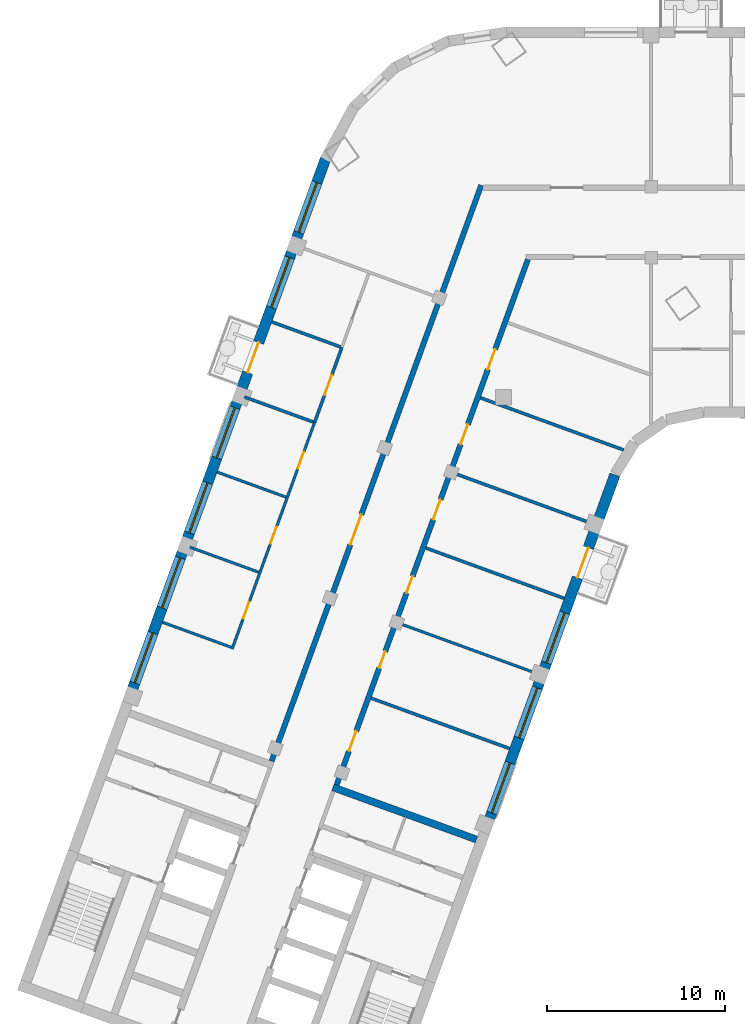
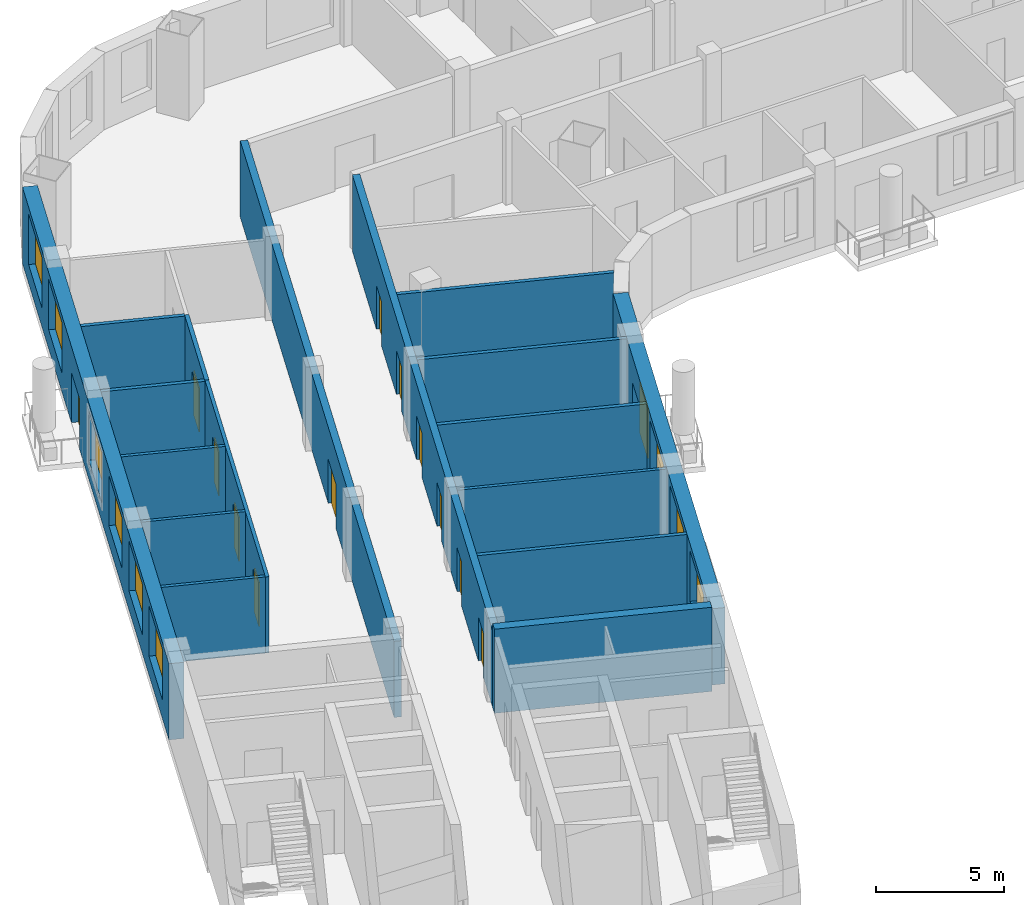
# One storey, part 3 of 16: 17 walls, 13 doors, 9 windows, 22 openings.
"""IFC4 building model written with IfcOpenShell, lengths in metres."""

from ifc_helpers import new_model, si_unit, direction, frame, frame_2d, origin, place, context, subcontext, project, spatial, rectangle, extrude, material, layer, layer_set, type_object, element, fill, save


model = new_model("IFC4")

# Units and contexts
model_context = context("Model", 3, precision=1e-05, world=origin(), true_north=direction((0.0, 1.0)))
body_context = subcontext(model_context, "Body", "Model", "MODEL_VIEW")
ifc_project = project(units=[si_unit("LENGTHUNIT", "METRE"), si_unit("AREAUNIT", "SQUARE_METRE"), si_unit("VOLUMEUNIT", "CUBIC_METRE"), si_unit("PLANEANGLEUNIT", "RADIAN"), si_unit("MASSUNIT", "GRAM", prefix="KILO")], contexts=[model_context])

# Site, building, storey
site_placement = place(None, origin())
site = spatial("IfcSite", under=ifc_project, at=site_placement, CompositionType="ELEMENT")
building_placement = place(site_placement, origin())
building = spatial("IfcBuilding", under=site, at=building_placement, Name="Skarvind Civic Tower", CompositionType="ELEMENT")
storey_placement = place(building_placement, frame((0.0, 0.0, 43.5)))
storey = spatial("IfcBuildingStorey", under=building, at=storey_placement, Name="L09", CompositionType="ELEMENT", Elevation=43.5)

# Wall
ifc_material_1 = material(Name="Acoustic gypsum board on steel studs", Category="steel")
ifc_layer_1 = layer(ifc_material_1, 0.175048828125)
ifc_layer_set_1 = layer_set([ifc_layer_1], Name="ACOUSTIC MEETING-ROOM PARTITION 175")
wall_type_1 = type_object("IfcWallType", Name="ACOUSTIC MEETING-ROOM PARTITION 175", PredefinedType="PARTITIONING", material=ifc_layer_set_1)
wall_1_placement = place(storey_placement, frame((31.35302734375, 118.166015625, 0.0), z_axis=(0.0, 0.0, 1.0), x_axis=(0.939750086456, -0.341862216405, 0.0)))
element("IfcWall", 1, at=wall_1_placement, inside=storey, type_object=wall_type_1, Name="Partition 09.005", PredefinedType="PARTITIONING", context=body_context, shape_type="SweptSolid", body=[
    extrude(rectangle(XDim=4.11279296875, YDim=0.175048828125, at=frame_2d((2.056396484375, 0.0))), origin(), (0.0, 0.0, 1.0), 3.625),
])

# Wall, opening, door
wall_2_placement = place(storey_placement, frame((36.839111328125, 120.958984375, 0.0), z_axis=(0.0, 0.0, 1.0), x_axis=(-0.341986974999, -0.939704692407, 0.0)))
wall_2 = element("IfcWall", 2, at=wall_2_placement, inside=storey, type_object=wall_type_1, Name="Partition 09.008", PredefinedType="PARTITIONING", context=body_context, shape_type="SweptSolid", body=[
    extrude(rectangle(XDim=4.500244140625, YDim=0.175048828125, at=frame_2d((2.25, 0.0))), origin(), (0.0, 0.0, 1.0), 3.625),
])
opening_1_placement = place(wall_2_placement, frame((1.650146484375, 0.0, 0.0)))
opening_1 = element("IfcOpeningElement", 3, at=opening_1_placement, cuts=wall_2, Name="Opening L09-D023", PredefinedType="OPENING", context=body_context, shape_type="SweptSolid", body=[
    extrude(rectangle(XDim=1.199951171875, YDim=2.10009765625, at=frame_2d((0.60009765625, 1.050048828125))), frame((0.0, 0.097412109375, 0.0), z_axis=(0.0, -1.0, 0.0), x_axis=(1.0, 0.0, 0.0)), (0.0, 0.0, 1.0), 0.195068359375),
])
ifc_material_2 = material(Name="Timber door leaf", Category="wood")
door_type_1 = type_object("IfcDoorType", Name="DOOR 1200X2100 DOUBLE TIMBER", OperationType="NOTDEFINED", PredefinedType="DOOR", material=ifc_material_2)
door_1_placement = place(opening_1_placement, origin())
door_1 = element("IfcDoor", 4, at=door_1_placement, inside=storey, type_object=door_type_1, Name="Door L09-D023", OperationType="DOUBLE_DOOR_SINGLE_SWING", OverallHeight=2.10009765625, OverallWidth=1.199951171875, PredefinedType="DOOR", context=body_context, shape_type="SweptSolid", body=[
    extrude(rectangle(XDim=1.199951171875, YDim=2.10009765625, at=frame_2d((0.60009765625, 1.050048828125))), frame((0.0, 0.02490234375, 0.0), z_axis=(0.0, -1.0, 0.0), x_axis=(1.0, 0.0, 0.0)), (0.0, 0.0, 1.0), 0.050048828125),
])
fill(opening_1, door_1)

# Walls
wall_3_placement = place(storey_placement, frame((36.757080078125, 120.989013671875, 0.0), z_axis=(0.0, 0.0, 1.0), x_axis=(-0.939750086456, 0.341862216405, 0.0)))
element("IfcWall", 5, at=wall_3_placement, inside=storey, type_object=wall_type_1, Name="Partition 09.009", PredefinedType="PARTITIONING", context=body_context, shape_type="SweptSolid", body=[
    extrude(rectangle(XDim=4.11279296875, YDim=0.175048828125, at=frame_2d((2.056396484375, 0.0))), origin(), (0.0, 0.0, 1.0), 3.625),
])
wall_4_placement = place(storey_placement, frame((38.48193359375, 101.2060546875, 0.0), z_axis=(0.0, 0.0, 1.0), x_axis=(0.939687752599, -0.342033518263, 0.0)))
element("IfcWall", 6, at=wall_4_placement, inside=storey, type_object=wall_type_1, Name="Partition 09.011", PredefinedType="PARTITIONING", context=body_context, shape_type="SweptSolid", body=[
    extrude(rectangle(XDim=8.30078125, YDim=0.175048828125, at=frame_2d((4.150390625, 0.0))), origin(), (0.0, 0.0, 1.0), 3.625),
])
wall_5_placement = place(storey_placement, frame((41.56103515625, 109.6630859375, 0.0), z_axis=(0.0, 0.0, 1.0), x_axis=(0.939673986983, -0.342071334939, 0.0)))
element("IfcWall", 7, at=wall_5_placement, inside=storey, type_object=wall_type_1, Name="Partition 09.013", PredefinedType="PARTITIONING", context=body_context, shape_type="SweptSolid", body=[
    extrude(rectangle(XDim=8.2998046875, YDim=0.175048828125, at=frame_2d((4.14990234375, 0.0))), origin(), (0.0, 0.0, 1.0), 3.625),
])
wall_6_placement = place(storey_placement, frame((43.10009765625, 113.89111328125, 0.0), z_axis=(0.0, 0.0, 1.0), x_axis=(0.939670544866, -0.342080790328, 0.0)))
element("IfcWall", 8, at=wall_6_placement, inside=storey, type_object=wall_type_1, Name="Partition 09.014", PredefinedType="PARTITIONING", context=body_context, shape_type="SweptSolid", body=[
    extrude(rectangle(XDim=8.299560546875, YDim=0.175048828125, at=frame_2d((4.14990234375, 0.0))), origin(), (0.0, 0.0, 1.0), 3.625),
])
wall_7_placement = place(storey_placement, frame((44.638916015625, 118.1201171875, 0.0), z_axis=(0.0, 0.0, 1.0), x_axis=(0.939669707102, -0.342083091593, 0.0)))
element("IfcWall", 9, at=wall_7_placement, inside=storey, type_object=wall_type_1, Name="Partition 09.015", PredefinedType="PARTITIONING", context=body_context, shape_type="SweptSolid", body=[
    extrude(rectangle(XDim=8.58935546875, YDim=0.175048828125, at=frame_2d((4.294677734375, 0.0))), origin(), (0.0, 0.0, 1.0), 3.625),
])

# Wall, opening, door
ifc_material_3 = material(Name="Fire-rated gypsum board on steel studs", Category="steel")
ifc_layer_2 = layer(ifc_material_3, 0.300048828125)
ifc_layer_set_2 = layer_set([ifc_layer_2], Name="CORRIDOR WALL 300")
wall_type_2 = type_object("IfcWallType", Name="CORRIDOR WALL 300", PredefinedType="PARTITIONING", material=ifc_layer_set_2)
wall_8_placement = place(storey_placement, frame((32.881103515625, 97.656982421875, 0.0), z_axis=(0.0, 0.0, 1.0), x_axis=(0.342017360004, 0.939693633828, 0.0)))
wall_8 = element("IfcWall", 10, at=wall_8_placement, inside=storey, type_object=wall_type_2, Name="Partition 09.006", PredefinedType="PARTITIONING", context=body_context, shape_type="SweptSolid", body=[
    extrude(rectangle(XDim=34.515625, YDim=0.300048828125, at=frame_2d((17.2578125, 0.0))), origin(), (0.0, 0.0, 1.0), 3.625),
])
opening_2_placement = place(wall_8_placement, frame((12.97509765625, 0.0, 0.0)))
opening_2 = element("IfcOpeningElement", 11, at=opening_2_placement, cuts=wall_8, Name="Opening L09-D025", PredefinedType="OPENING", context=body_context, shape_type="SweptSolid", body=[
    extrude(rectangle(XDim=1.800048828125, YDim=2.10009765625, at=frame_2d((0.89990234375, 1.050048828125))), frame((0.0, 0.159912109375, 0.0), z_axis=(0.0, -1.0, 0.0), x_axis=(1.0, 0.0, 0.0)), (0.0, 0.0, 1.0), 0.320068359375),
])
ifc_material_4 = material(Name="Fire-rated timber door leaf", Category="wood")
door_type_2 = type_object("IfcDoorType", Name="FD4 1800x2100", OperationType="NOTDEFINED", PredefinedType="DOOR", material=ifc_material_4)
door_2_placement = place(opening_2_placement, origin())
door_2 = element("IfcDoor", 12, at=door_2_placement, inside=storey, type_object=door_type_2, Name="Door L09-D025", OperationType="DOUBLE_DOOR_SINGLE_SWING", OverallHeight=2.10009765625, OverallWidth=1.800048828125, PredefinedType="DOOR", context=body_context, shape_type="SweptSolid", body=[
    extrude(rectangle(XDim=1.800048828125, YDim=2.10009765625, at=frame_2d((0.89990234375, 1.050048828125))), frame((0.0, 0.02490234375, 0.0), z_axis=(0.0, -1.0, 0.0), x_axis=(1.0, 0.0, 0.0)), (0.0, 0.0, 1.0), 0.050048828125),
])
fill(opening_2, door_2)

# Wall, openings, doors
wall_9_placement = place(storey_placement, frame((47.31396484375, 125.908935546875, 0.0), z_axis=(0.0, 0.0, 1.0), x_axis=(-0.342010770371, -0.939696032209, 0.0)))
wall_9 = element("IfcWall", 13, at=wall_9_placement, inside=storey, type_object=wall_type_2, Name="Partition 09.017", PredefinedType="PARTITIONING", context=body_context, shape_type="SweptSolid", body=[
    extrude(rectangle(XDim=31.484619140625, YDim=0.300048828125, at=frame_2d((15.7421875, 0.0))), origin(), (0.0, 0.0, 1.0), 3.625),
])
opening_3_placement = place(wall_9_placement, frame((28.25927734375, 0.0, 0.0)))
opening_3 = element("IfcOpeningElement", 14, at=opening_3_placement, cuts=wall_9, Name="Opening L09-D026", PredefinedType="OPENING", context=body_context, shape_type="SweptSolid", body=[
    extrude(rectangle(XDim=1.199951171875, YDim=2.10009765625, at=frame_2d((0.60009765625, 1.050048828125))), frame((0.0, 0.159912109375, 0.0), z_axis=(0.0, -1.0, 0.0), x_axis=(1.0, 0.0, 0.0)), (0.0, 0.0, 1.0), 0.320068359375),
])
opening_4_placement = place(wall_9_placement, frame((23.484375, 0.0, 0.0)))
opening_4 = element("IfcOpeningElement", 15, at=opening_4_placement, cuts=wall_9, Name="Opening L09-D027", PredefinedType="OPENING", context=body_context, shape_type="SweptSolid", body=[
    extrude(rectangle(XDim=1.0, YDim=2.10009765625, at=frame_2d((0.5, 1.050048828125))), frame((0.0, 0.159912109375, 0.0), z_axis=(0.0, -1.0, 0.0), x_axis=(1.0, 0.0, 0.0)), (0.0, 0.0, 1.0), 0.320068359375),
])
opening_5_placement = place(wall_9_placement, frame((18.984375, 0.0, 0.0)))
opening_5 = element("IfcOpeningElement", 16, at=opening_5_placement, cuts=wall_9, Name="Opening L09-D028", PredefinedType="OPENING", context=body_context, shape_type="SweptSolid", body=[
    extrude(rectangle(XDim=1.0, YDim=2.10009765625, at=frame_2d((0.5, 1.050048828125))), frame((0.0, 0.159912109375, 0.0), z_axis=(0.0, -1.0, 0.0), x_axis=(1.0, 0.0, 0.0)), (0.0, 0.0, 1.0), 0.320068359375),
])
opening_6_placement = place(wall_9_placement, frame((14.384521484375, 0.0, 0.0)))
opening_6 = element("IfcOpeningElement", 17, at=opening_6_placement, cuts=wall_9, Name="Opening L09-D029", PredefinedType="OPENING", context=body_context, shape_type="SweptSolid", body=[
    extrude(rectangle(XDim=1.199951171875, YDim=2.10009765625, at=frame_2d((0.60009765625, 1.050048828125))), frame((0.0, 0.159912109375, 0.0), z_axis=(0.0, -1.0, 0.0), x_axis=(1.0, 0.0, 0.0)), (0.0, 0.0, 1.0), 0.320068359375),
])
opening_7_placement = place(wall_9_placement, frame((9.884521484375, 0.0, 0.0)))
opening_7 = element("IfcOpeningElement", 18, at=opening_7_placement, cuts=wall_9, Name="Opening L09-D030", PredefinedType="OPENING", context=body_context, shape_type="SweptSolid", body=[
    extrude(rectangle(XDim=1.199951171875, YDim=2.10009765625, at=frame_2d((0.60009765625, 1.050048828125))), frame((0.0, 0.159912109375, 0.0), z_axis=(0.0, -1.0, 0.0), x_axis=(1.0, 0.0, 0.0)), (0.0, 0.0, 1.0), 0.320068359375),
])
opening_8_placement = place(wall_9_placement, frame((5.38427734375, 0.0, 0.0)))
opening_8 = element("IfcOpeningElement", 19, at=opening_8_placement, cuts=wall_9, Name="Opening L09-D031", PredefinedType="OPENING", context=body_context, shape_type="SweptSolid", body=[
    extrude(rectangle(XDim=1.199951171875, YDim=2.10009765625, at=frame_2d((0.60009765625, 1.050048828125))), frame((0.0, 0.159912109375, 0.0), z_axis=(0.0, -1.0, 0.0), x_axis=(1.0, 0.0, 0.0)), (0.0, 0.0, 1.0), 0.320068359375),
])
door_type_3 = type_object("IfcDoorType", Name="FD1 1000x2100", OperationType="NOTDEFINED", PredefinedType="DOOR", material=ifc_material_4)
door_3_placement = place(opening_4_placement, origin())
door_3 = element("IfcDoor", 20, at=door_3_placement, inside=storey, type_object=door_type_3, Name="Door L09-D027", OperationType="SINGLE_SWING_LEFT", OverallHeight=2.10009765625, OverallWidth=1.0, PredefinedType="DOOR", context=body_context, shape_type="SweptSolid", body=[
    extrude(rectangle(XDim=1.0, YDim=2.10009765625, at=frame_2d((0.5, 1.050048828125))), frame((0.0, 0.02490234375, 0.0), z_axis=(0.0, -1.0, 0.0), x_axis=(1.0, 0.0, 0.0)), (0.0, 0.0, 1.0), 0.050048828125),
])
fill(opening_4, door_3)
door_4_placement = place(opening_5_placement, origin())
door_4 = element("IfcDoor", 21, at=door_4_placement, inside=storey, type_object=door_type_3, Name="Door L09-D028", OperationType="SINGLE_SWING_LEFT", OverallHeight=2.10009765625, OverallWidth=1.0, PredefinedType="DOOR", context=body_context, shape_type="SweptSolid", body=[
    extrude(rectangle(XDim=1.0, YDim=2.10009765625, at=frame_2d((0.5, 1.050048828125))), frame((0.0, 0.02490234375, 0.0), z_axis=(0.0, -1.0, 0.0), x_axis=(1.0, 0.0, 0.0)), (0.0, 0.0, 1.0), 0.050048828125),
])
fill(opening_5, door_4)
door_type_4 = type_object("IfcDoorType", Name="FD6 1200x2100 DOUBLE", OperationType="NOTDEFINED", PredefinedType="DOOR", material=ifc_material_4)
door_5_placement = place(opening_3_placement, origin())
door_5 = element("IfcDoor", 22, at=door_5_placement, inside=storey, type_object=door_type_4, Name="Door L09-D026", OperationType="DOUBLE_DOOR_SINGLE_SWING", OverallHeight=2.10009765625, OverallWidth=1.199951171875, PredefinedType="DOOR", context=body_context, shape_type="SweptSolid", body=[
    extrude(rectangle(XDim=1.199951171875, YDim=2.10009765625, at=frame_2d((0.60009765625, 1.050048828125))), frame((0.0, 0.02490234375, 0.0), z_axis=(0.0, -1.0, 0.0), x_axis=(1.0, 0.0, 0.0)), (0.0, 0.0, 1.0), 0.050048828125),
])
fill(opening_3, door_5)
door_6_placement = place(opening_6_placement, origin())
door_6 = element("IfcDoor", 23, at=door_6_placement, inside=storey, type_object=door_type_4, Name="Door L09-D029", OperationType="DOUBLE_DOOR_SINGLE_SWING", OverallHeight=2.10009765625, OverallWidth=1.199951171875, PredefinedType="DOOR", context=body_context, shape_type="SweptSolid", body=[
    extrude(rectangle(XDim=1.199951171875, YDim=2.10009765625, at=frame_2d((0.60009765625, 1.050048828125))), frame((0.0, 0.02490234375, 0.0), z_axis=(0.0, -1.0, 0.0), x_axis=(1.0, 0.0, 0.0)), (0.0, 0.0, 1.0), 0.050048828125),
])
fill(opening_6, door_6)
door_7_placement = place(opening_7_placement, origin())
door_7 = element("IfcDoor", 24, at=door_7_placement, inside=storey, type_object=door_type_4, Name="Door L09-D030", OperationType="DOUBLE_DOOR_SINGLE_SWING", OverallHeight=2.10009765625, OverallWidth=1.199951171875, PredefinedType="DOOR", context=body_context, shape_type="SweptSolid", body=[
    extrude(rectangle(XDim=1.199951171875, YDim=2.10009765625, at=frame_2d((0.60009765625, 1.050048828125))), frame((0.0, 0.02490234375, 0.0), z_axis=(0.0, -1.0, 0.0), x_axis=(1.0, 0.0, 0.0)), (0.0, 0.0, 1.0), 0.050048828125),
])
fill(opening_7, door_7)
door_8_placement = place(opening_8_placement, origin())
door_8 = element("IfcDoor", 25, at=door_8_placement, inside=storey, type_object=door_type_4, Name="Door L09-D031", OperationType="DOUBLE_DOOR_SINGLE_SWING", OverallHeight=2.10009765625, OverallWidth=1.199951171875, PredefinedType="DOOR", context=body_context, shape_type="SweptSolid", body=[
    extrude(rectangle(XDim=1.199951171875, YDim=2.10009765625, at=frame_2d((0.60009765625, 1.050048828125))), frame((0.0, 0.02490234375, 0.0), z_axis=(0.0, -1.0, 0.0), x_axis=(1.0, 0.0, 0.0)), (0.0, 0.0, 1.0), 0.050048828125),
])
fill(opening_8, door_8)

# Walls
ifc_material_5 = material(Name="Concrete C80", Category="concrete")
ifc_layer_3 = layer(ifc_material_5, 0.39990234375)
ifc_layer_set_3 = layer_set([ifc_layer_3], Name="Core wall 400 C80")
wall_type_3 = type_object("IfcWallType", Name="Core wall 400 C80", PredefinedType="SHEAR", material=ifc_layer_set_3)
wall_10_placement = place(storey_placement, frame((44.417724609375, 93.2451171875, 0.0), z_axis=(0.0, 0.0, 1.0), x_axis=(-0.93969060187, 0.342025690201, 0.0)))
element("IfcWall", 26, at=wall_10_placement, inside=storey, type_object=wall_type_3, Name="Core wall C2 south inner face L09", PredefinedType="SHEAR", context=body_context, shape_type="SweptSolid", body=[
    extrude(rectangle(XDim=8.599853515625, YDim=0.39990234375, at=frame_2d((4.2998046875, 0.0))), origin(), (0.0, 0.0, 1.0), 4.0),
])
ifc_material_6 = material(Name="Plasterboard partition on steel studs", Category="steel")
ifc_layer_4 = layer(ifc_material_6, 0.14990234375)
ifc_layer_set_4 = layer_set([ifc_layer_4], Name="PARTITION 150")
wall_type_4 = type_object("IfcWallType", Name="PARTITION 150", PredefinedType="PARTITIONING", material=ifc_layer_set_4)
wall_11_placement = place(storey_placement, frame((26.736083984375, 105.47998046875, 0.0), z_axis=(0.0, 0.0, 1.0), x_axis=(0.939784783713, -0.341766821533, 0.0)))
element("IfcWall", 27, at=wall_11_placement, inside=storey, type_object=wall_type_4, Name="Partition 09.001", PredefinedType="PARTITIONING", context=body_context, shape_type="SweptSolid", body=[
    extrude(rectangle(XDim=4.125244140625, YDim=0.14990234375, at=frame_2d((2.0625, 0.0))), origin(), (0.0, 0.0, 1.0), 3.625),
])
wall_12_placement = place(storey_placement, frame((28.27490234375, 109.708984375, 0.0), z_axis=(0.0, 0.0, 1.0), x_axis=(0.939791695678, -0.341747814529, 0.0)))
element("IfcWall", 28, at=wall_12_placement, inside=storey, type_object=wall_type_4, Name="Partition 09.002", PredefinedType="PARTITIONING", context=body_context, shape_type="SweptSolid", body=[
    extrude(rectangle(XDim=4.12548828125, YDim=0.14990234375, at=frame_2d((2.062744140625, 0.0))), origin(), (0.0, 0.0, 1.0), 3.625),
])
wall_13_placement = place(storey_placement, frame((29.81396484375, 113.93798828125, 0.0), z_axis=(0.0, 0.0, 1.0), x_axis=(0.93970873465, -0.341975867603, 0.0)))
element("IfcWall", 29, at=wall_13_placement, inside=storey, type_object=wall_type_4, Name="Partition 09.003", PredefinedType="PARTITIONING", context=body_context, shape_type="SweptSolid", body=[
    extrude(rectangle(XDim=4.125732421875, YDim=0.14990234375, at=frame_2d((2.06298828125, 0.0))), origin(), (0.0, 0.0, 1.0), 3.625),
])

# Wall, openings, doors
wall_14_placement = place(storey_placement, frame((35.300048828125, 116.72998046875, 0.0), z_axis=(0.0, 0.0, 1.0), x_axis=(-0.342040522051, -0.939685203286, 0.0)))
wall_14 = element("IfcWall", 30, at=wall_14_placement, inside=storey, type_object=wall_type_4, Name="Partition 09.004", PredefinedType="PARTITIONING", context=body_context, shape_type="SweptSolid", body=[
    extrude(rectangle(XDim=13.57470703125, YDim=0.14990234375, at=frame_2d((6.787353515625, 0.0))), origin(), (0.0, 0.0, 1.0), 3.625),
])
opening_9_placement = place(wall_14_placement, frame((10.75, 0.0, 0.0)))
opening_9 = element("IfcOpeningElement", 31, at=opening_9_placement, cuts=wall_14, Name="Opening L09-D020", PredefinedType="OPENING", context=body_context, shape_type="SweptSolid", body=[
    extrude(rectangle(XDim=1.0, YDim=2.10009765625, at=frame_2d((0.5, 1.050048828125))), frame((0.0, 0.0849609375, 0.0), z_axis=(0.0, -1.0, 0.0), x_axis=(1.0, 0.0, 0.0)), (0.0, 0.0, 1.0), 0.169921875),
])
opening_10_placement = place(wall_14_placement, frame((6.25, 0.0, 0.0)))
opening_10 = element("IfcOpeningElement", 32, at=opening_10_placement, cuts=wall_14, Name="Opening L09-D021", PredefinedType="OPENING", context=body_context, shape_type="SweptSolid", body=[
    extrude(rectangle(XDim=1.0, YDim=2.10009765625, at=frame_2d((0.5, 1.050048828125))), frame((0.0, 0.0849609375, 0.0), z_axis=(0.0, -1.0, 0.0), x_axis=(1.0, 0.0, 0.0)), (0.0, 0.0, 1.0), 0.169921875),
])
opening_11_placement = place(wall_14_placement, frame((1.750244140625, 0.0, 0.0)))
opening_11 = element("IfcOpeningElement", 33, at=opening_11_placement, cuts=wall_14, Name="Opening L09-D022", PredefinedType="OPENING", context=body_context, shape_type="SweptSolid", body=[
    extrude(rectangle(XDim=1.0, YDim=2.10009765625, at=frame_2d((0.5, 1.050048828125))), frame((0.0, 0.0849609375, 0.0), z_axis=(0.0, -1.0, 0.0), x_axis=(1.0, 0.0, 0.0)), (0.0, 0.0, 1.0), 0.169921875),
])
door_type_5 = type_object("IfcDoorType", Name="D1 1000x2100", OperationType="NOTDEFINED", PredefinedType="DOOR", material=ifc_material_2)
door_9_placement = place(opening_9_placement, origin())
door_9 = element("IfcDoor", 34, at=door_9_placement, inside=storey, type_object=door_type_5, Name="Door L09-D020", OperationType="SINGLE_SWING_LEFT", OverallHeight=2.10009765625, OverallWidth=1.0, PredefinedType="DOOR", context=body_context, shape_type="SweptSolid", body=[
    extrude(rectangle(XDim=1.0, YDim=2.10009765625, at=frame_2d((0.5, 1.050048828125))), frame((0.0, 0.02490234375, 0.0), z_axis=(0.0, -1.0, 0.0), x_axis=(1.0, 0.0, 0.0)), (0.0, 0.0, 1.0), 0.050048828125),
])
fill(opening_9, door_9)
door_10_placement = place(opening_10_placement, origin())
door_10 = element("IfcDoor", 35, at=door_10_placement, inside=storey, type_object=door_type_5, Name="Door L09-D021", OperationType="SINGLE_SWING_LEFT", OverallHeight=2.10009765625, OverallWidth=1.0, PredefinedType="DOOR", context=body_context, shape_type="SweptSolid", body=[
    extrude(rectangle(XDim=1.0, YDim=2.10009765625, at=frame_2d((0.5, 1.050048828125))), frame((0.0, 0.02490234375, 0.0), z_axis=(0.0, -1.0, 0.0), x_axis=(1.0, 0.0, 0.0)), (0.0, 0.0, 1.0), 0.050048828125),
])
fill(opening_10, door_10)
door_11_placement = place(opening_11_placement, origin())
door_11 = element("IfcDoor", 36, at=door_11_placement, inside=storey, type_object=door_type_5, Name="Door L09-D022", OperationType="SINGLE_SWING_LEFT", OverallHeight=2.10009765625, OverallWidth=1.0, PredefinedType="DOOR", context=body_context, shape_type="SweptSolid", body=[
    extrude(rectangle(XDim=1.0, YDim=2.10009765625, at=frame_2d((0.5, 1.050048828125))), frame((0.0, 0.02490234375, 0.0), z_axis=(0.0, -1.0, 0.0), x_axis=(1.0, 0.0, 0.0)), (0.0, 0.0, 1.0), 0.050048828125),
])
fill(opening_11, door_11)

# Wall
wall_15_placement = place(storey_placement, frame((40.02099609375, 105.43408203125, 0.0), z_axis=(0.0, 0.0, 1.0), x_axis=(0.939687752599, -0.342033518263, 0.0)))
element("IfcWall", 37, at=wall_15_placement, inside=storey, type_object=wall_type_4, Name="Partition 09.012", PredefinedType="PARTITIONING", context=body_context, shape_type="SweptSolid", body=[
    extrude(rectangle(XDim=8.30078125, YDim=0.14990234375, at=frame_2d((4.150390625, 0.0))), origin(), (0.0, 0.0, 1.0), 3.625),
])

# Wall, openings, door, windows
ifc_material_7 = material(Name="Limestone masonry cladding on insulated backing", Category="masonry")
ifc_layer_5 = layer(ifc_material_7, 0.60009765625)
ifc_layer_set_5 = layer_set([ifc_layer_5], Name="WX1 STONE FACADE WALL 600")
wall_type_5 = type_object("IfcWallType", Name="WX1 STONE FACADE WALL 600", PredefinedType="SOLIDWALL", material=ifc_layer_set_5)
wall_16_placement = place(storey_placement, frame((52.212158203125, 113.78271484375, 0.0), z_axis=(0.0, 0.0, 1.0), x_axis=(-0.34202521188, -0.939690775968, 0.0)))
wall_16 = element("IfcWall", 38, at=wall_16_placement, inside=storey, type_object=wall_type_5, Name="STONE FACADE WALL", PredefinedType="SOLIDWALL", context=body_context, shape_type="SweptSolid", body=[
    extrude(rectangle(XDim=21.744873046875, YDim=0.60009765625, at=frame_2d((10.87255859375, 0.0))), origin(), (0.0, 0.0, 1.0), 3.625),
])
opening_12_placement = place(wall_16_placement, frame((4.364990234375, 0.0, 0.0)))
opening_12 = element("IfcOpeningElement", 39, at=opening_12_placement, cuts=wall_16, Name="Opening DX3", PredefinedType="OPENING", context=body_context, shape_type="SweptSolid", body=[
    extrude(rectangle(XDim=1.800048828125, YDim=2.39990234375, at=frame_2d((0.89990234375, 1.199951171875))), frame((0.0, 0.31005859375, 0.0), z_axis=(0.0, -1.0, 0.0), x_axis=(1.0, 0.0, 0.0)), (0.0, 0.0, 1.0), 0.6201171875),
])
opening_13_placement = place(wall_16_placement, frame((8.264892578125, 0.0, 0.89990234375)))
opening_13 = element("IfcOpeningElement", 40, at=opening_13_placement, cuts=wall_16, Name="Opening WN1", PredefinedType="OPENING", context=body_context, shape_type="SweptSolid", body=[
    extrude(rectangle(XDim=3.0, YDim=2.39990234375, at=frame_2d((1.5, 1.199951171875))), frame((0.0, 0.31005859375, 0.0), z_axis=(0.0, -1.0, 0.0), x_axis=(1.0, 0.0, 0.0)), (0.0, 0.0, 1.0), 0.6201171875),
])
opening_14_placement = place(wall_16_placement, frame((12.764892578125, 0.0, 0.89990234375)))
opening_14 = element("IfcOpeningElement", 41, at=opening_14_placement, cuts=wall_16, Name="Opening WN1", PredefinedType="OPENING", context=body_context, shape_type="SweptSolid", body=[
    extrude(rectangle(XDim=3.0, YDim=2.39990234375, at=frame_2d((1.5, 1.199951171875))), frame((0.0, 0.31005859375, 0.0), z_axis=(0.0, -1.0, 0.0), x_axis=(1.0, 0.0, 0.0)), (0.0, 0.0, 1.0), 0.6201171875),
])
opening_15_placement = place(wall_16_placement, frame((17.264892578125, 0.0, 0.89990234375)))
opening_15 = element("IfcOpeningElement", 42, at=opening_15_placement, cuts=wall_16, Name="Opening WN1", PredefinedType="OPENING", context=body_context, shape_type="SweptSolid", body=[
    extrude(rectangle(XDim=3.0, YDim=2.39990234375, at=frame_2d((1.5, 1.199951171875))), frame((0.0, 0.31005859375, 0.0), z_axis=(0.0, -1.0, 0.0), x_axis=(1.0, 0.0, 0.0)), (0.0, 0.0, 1.0), 0.6201171875),
])
ifc_material_8 = material(Name="Timber and glass doorset", Category="wood")
door_type_6 = type_object("IfcDoorType", Name="DX3 TERRACE DOORS 1800 x 2400", OperationType="NOTDEFINED", PredefinedType="DOOR", material=ifc_material_8)
door_12_placement = place(opening_12_placement, origin())
door_12 = element("IfcDoor", 43, at=door_12_placement, inside=storey, type_object=door_type_6, Name="TERRACE DOORS", OperationType="DOUBLE_DOOR_SINGLE_SWING", OverallHeight=2.39990234375, OverallWidth=1.800048828125, PredefinedType="DOOR", context=body_context, shape_type="SweptSolid", body=[
    extrude(rectangle(XDim=1.800048828125, YDim=2.39990234375, at=frame_2d((0.89990234375, 1.199951171875))), frame((0.0, 0.02490234375, 0.0), z_axis=(0.0, -1.0, 0.0), x_axis=(1.0, 0.0, 0.0)), (0.0, 0.0, 1.0), 0.050048828125),
])
fill(opening_12, door_12)
ifc_material_9 = material(Name="Timber frame, double glazing, timber-lined reveal", Category="wood")
window_type = type_object("IfcWindowType", Name="WN1 PUNCHED STONE WINDOW 3000 x 2400", PartitioningType="SINGLE_PANEL", PredefinedType="WINDOW", material=ifc_material_9)
window_1_placement = place(opening_13_placement, origin())
window_1 = element("IfcWindow", 44, at=window_1_placement, inside=storey, type_object=window_type, Name="WN1 WINDOW", OverallHeight=2.39990234375, OverallWidth=3.0, PartitioningType="SINGLE_PANEL", PredefinedType="WINDOW", context=body_context, shape_type="SweptSolid", body=[
    extrude(rectangle(XDim=3.0, YDim=2.39990234375, at=frame_2d((1.5, 1.199951171875))), frame((0.0, 0.030029296875, 0.0), z_axis=(0.0, -1.0, 0.0), x_axis=(1.0, 0.0, 0.0)), (0.0, 0.0, 1.0), 0.06005859375),
])
fill(opening_13, window_1)
window_2_placement = place(opening_14_placement, origin())
window_2 = element("IfcWindow", 45, at=window_2_placement, inside=storey, type_object=window_type, Name="WN1 WINDOW", OverallHeight=2.39990234375, OverallWidth=3.0, PartitioningType="SINGLE_PANEL", PredefinedType="WINDOW", context=body_context, shape_type="SweptSolid", body=[
    extrude(rectangle(XDim=3.0, YDim=2.39990234375, at=frame_2d((1.5, 1.199951171875))), frame((0.0, 0.030029296875, 0.0), z_axis=(0.0, -1.0, 0.0), x_axis=(1.0, 0.0, 0.0)), (0.0, 0.0, 1.0), 0.06005859375),
])
fill(opening_14, window_2)
window_3_placement = place(opening_15_placement, origin())
window_3 = element("IfcWindow", 46, at=window_3_placement, inside=storey, type_object=window_type, Name="WN1 WINDOW", OverallHeight=2.39990234375, OverallWidth=3.0, PartitioningType="SINGLE_PANEL", PredefinedType="WINDOW", context=body_context, shape_type="SweptSolid", body=[
    extrude(rectangle(XDim=3.0, YDim=2.39990234375, at=frame_2d((1.5, 1.199951171875))), frame((0.0, 0.030029296875, 0.0), z_axis=(0.0, -1.0, 0.0), x_axis=(1.0, 0.0, 0.0)), (0.0, 0.0, 1.0), 0.06005859375),
])
fill(opening_15, window_3)

wall_17_placement = place(storey_placement, frame((24.66552734375, 100.668701171875, 0.0), z_axis=(0.0, 0.0, 1.0), x_axis=(0.34201964167, 0.939692803373, 0.0)))
wall_17 = element("IfcWall", 47, at=wall_17_placement, inside=storey, type_object=wall_type_5, Name="STONE FACADE WALL", PredefinedType="SOLIDWALL", context=body_context, shape_type="SweptSolid", body=[
    extrude(rectangle(XDim=32.88427734375, YDim=0.60009765625, at=frame_2d((16.442138671875, 0.0))), origin(), (0.0, 0.0, 1.0), 3.625),
])
opening_16_placement = place(wall_17_placement, frame((1.47998046875, 0.0, 0.89990234375)))
opening_16 = element("IfcOpeningElement", 48, at=opening_16_placement, cuts=wall_17, Name="Opening WN1", PredefinedType="OPENING", context=body_context, shape_type="SweptSolid", body=[
    extrude(rectangle(XDim=3.0, YDim=2.39990234375, at=frame_2d((1.5, 1.199951171875))), frame((0.0, 0.31005859375, 0.0), z_axis=(0.0, -1.0, 0.0), x_axis=(1.0, 0.0, 0.0)), (0.0, 0.0, 1.0), 0.6201171875),
])
opening_17_placement = place(wall_17_placement, frame((5.97998046875, 0.0, 0.89990234375)))
opening_17 = element("IfcOpeningElement", 49, at=opening_17_placement, cuts=wall_17, Name="Opening WN1", PredefinedType="OPENING", context=body_context, shape_type="SweptSolid", body=[
    extrude(rectangle(XDim=3.0, YDim=2.39990234375, at=frame_2d((1.5, 1.199951171875))), frame((0.0, 0.31005859375, 0.0), z_axis=(0.0, -1.0, 0.0), x_axis=(1.0, 0.0, 0.0)), (0.0, 0.0, 1.0), 0.6201171875),
])
opening_18_placement = place(wall_17_placement, frame((10.47998046875, 0.0, 0.89990234375)))
opening_18 = element("IfcOpeningElement", 50, at=opening_18_placement, cuts=wall_17, Name="Opening WN1", PredefinedType="OPENING", context=body_context, shape_type="SweptSolid", body=[
    extrude(rectangle(XDim=3.0, YDim=2.39990234375, at=frame_2d((1.5, 1.199951171875))), frame((0.0, 0.31005859375, 0.0), z_axis=(0.0, -1.0, 0.0), x_axis=(1.0, 0.0, 0.0)), (0.0, 0.0, 1.0), 0.6201171875),
])
opening_19_placement = place(wall_17_placement, frame((14.97998046875, 0.0, 0.89990234375)))
opening_19 = element("IfcOpeningElement", 51, at=opening_19_placement, cuts=wall_17, Name="Opening WN1", PredefinedType="OPENING", context=body_context, shape_type="SweptSolid", body=[
    extrude(rectangle(XDim=3.0, YDim=2.39990234375, at=frame_2d((1.5, 1.199951171875))), frame((0.0, 0.31005859375, 0.0), z_axis=(0.0, -1.0, 0.0), x_axis=(1.0, 0.0, 0.0)), (0.0, 0.0, 1.0), 0.6201171875),
])
opening_20_placement = place(wall_17_placement, frame((20.080078125, 0.0, 0.0)))
opening_20 = element("IfcOpeningElement", 52, at=opening_20_placement, cuts=wall_17, Name="Opening DX3", PredefinedType="OPENING", context=body_context, shape_type="SweptSolid", body=[
    extrude(rectangle(XDim=1.800048828125, YDim=2.39990234375, at=frame_2d((0.89990234375, 1.199951171875))), frame((0.0, 0.31005859375, 0.0), z_axis=(0.0, -1.0, 0.0), x_axis=(1.0, 0.0, 0.0)), (0.0, 0.0, 1.0), 0.6201171875),
])
opening_21_placement = place(wall_17_placement, frame((23.97998046875, 0.0, 0.89990234375)))
opening_21 = element("IfcOpeningElement", 53, at=opening_21_placement, cuts=wall_17, Name="Opening WN1", PredefinedType="OPENING", context=body_context, shape_type="SweptSolid", body=[
    extrude(rectangle(XDim=3.0, YDim=2.39990234375, at=frame_2d((1.5, 1.199951171875))), frame((0.0, 0.31005859375, 0.0), z_axis=(0.0, -1.0, 0.0), x_axis=(1.0, 0.0, 0.0)), (0.0, 0.0, 1.0), 0.6201171875),
])
opening_22_placement = place(wall_17_placement, frame((28.47998046875, 0.0, 0.89990234375)))
opening_22 = element("IfcOpeningElement", 54, at=opening_22_placement, cuts=wall_17, Name="Opening WN1", PredefinedType="OPENING", context=body_context, shape_type="SweptSolid", body=[
    extrude(rectangle(XDim=3.0, YDim=2.39990234375, at=frame_2d((1.5, 1.199951171875))), frame((0.0, 0.31005859375, 0.0), z_axis=(0.0, -1.0, 0.0), x_axis=(1.0, 0.0, 0.0)), (0.0, 0.0, 1.0), 0.6201171875),
])
door_13_placement = place(opening_20_placement, origin())
door_13 = element("IfcDoor", 55, at=door_13_placement, inside=storey, type_object=door_type_6, Name="TERRACE DOORS", OperationType="DOUBLE_DOOR_SINGLE_SWING", OverallHeight=2.39990234375, OverallWidth=1.800048828125, PredefinedType="DOOR", context=body_context, shape_type="SweptSolid", body=[
    extrude(rectangle(XDim=1.800048828125, YDim=2.39990234375, at=frame_2d((0.89990234375, 1.199951171875))), frame((0.0, 0.02490234375, 0.0), z_axis=(0.0, -1.0, 0.0), x_axis=(1.0, 0.0, 0.0)), (0.0, 0.0, 1.0), 0.050048828125),
])
fill(opening_20, door_13)
window_4_placement = place(opening_16_placement, origin())
window_4 = element("IfcWindow", 56, at=window_4_placement, inside=storey, type_object=window_type, Name="WN1 WINDOW", OverallHeight=2.39990234375, OverallWidth=3.0, PartitioningType="SINGLE_PANEL", PredefinedType="WINDOW", context=body_context, shape_type="SweptSolid", body=[
    extrude(rectangle(XDim=3.0, YDim=2.39990234375, at=frame_2d((1.5, 1.199951171875))), frame((0.0, 0.030029296875, 0.0), z_axis=(0.0, -1.0, 0.0), x_axis=(1.0, 0.0, 0.0)), (0.0, 0.0, 1.0), 0.06005859375),
])
fill(opening_16, window_4)
window_5_placement = place(opening_17_placement, origin())
window_5 = element("IfcWindow", 57, at=window_5_placement, inside=storey, type_object=window_type, Name="WN1 WINDOW", OverallHeight=2.39990234375, OverallWidth=3.0, PartitioningType="SINGLE_PANEL", PredefinedType="WINDOW", context=body_context, shape_type="SweptSolid", body=[
    extrude(rectangle(XDim=3.0, YDim=2.39990234375, at=frame_2d((1.5, 1.199951171875))), frame((0.0, 0.030029296875, 0.0), z_axis=(0.0, -1.0, 0.0), x_axis=(1.0, 0.0, 0.0)), (0.0, 0.0, 1.0), 0.06005859375),
])
fill(opening_17, window_5)
window_6_placement = place(opening_18_placement, origin())
window_6 = element("IfcWindow", 58, at=window_6_placement, inside=storey, type_object=window_type, Name="WN1 WINDOW", OverallHeight=2.39990234375, OverallWidth=3.0, PartitioningType="SINGLE_PANEL", PredefinedType="WINDOW", context=body_context, shape_type="SweptSolid", body=[
    extrude(rectangle(XDim=3.0, YDim=2.39990234375, at=frame_2d((1.5, 1.199951171875))), frame((0.0, 0.030029296875, 0.0), z_axis=(0.0, -1.0, 0.0), x_axis=(1.0, 0.0, 0.0)), (0.0, 0.0, 1.0), 0.06005859375),
])
fill(opening_18, window_6)
window_7_placement = place(opening_19_placement, origin())
window_7 = element("IfcWindow", 59, at=window_7_placement, inside=storey, type_object=window_type, Name="WN1 WINDOW", OverallHeight=2.39990234375, OverallWidth=3.0, PartitioningType="SINGLE_PANEL", PredefinedType="WINDOW", context=body_context, shape_type="SweptSolid", body=[
    extrude(rectangle(XDim=3.0, YDim=2.39990234375, at=frame_2d((1.5, 1.199951171875))), frame((0.0, 0.030029296875, 0.0), z_axis=(0.0, -1.0, 0.0), x_axis=(1.0, 0.0, 0.0)), (0.0, 0.0, 1.0), 0.06005859375),
])
fill(opening_19, window_7)
window_8_placement = place(opening_21_placement, origin())
window_8 = element("IfcWindow", 60, at=window_8_placement, inside=storey, type_object=window_type, Name="WN1 WINDOW", OverallHeight=2.39990234375, OverallWidth=3.0, PartitioningType="SINGLE_PANEL", PredefinedType="WINDOW", context=body_context, shape_type="SweptSolid", body=[
    extrude(rectangle(XDim=3.0, YDim=2.39990234375, at=frame_2d((1.5, 1.199951171875))), frame((0.0, 0.030029296875, 0.0), z_axis=(0.0, -1.0, 0.0), x_axis=(1.0, 0.0, 0.0)), (0.0, 0.0, 1.0), 0.06005859375),
])
fill(opening_21, window_8)
window_9_placement = place(opening_22_placement, origin())
window_9 = element("IfcWindow", 61, at=window_9_placement, inside=storey, type_object=window_type, Name="WN1 WINDOW", OverallHeight=2.39990234375, OverallWidth=3.0, PartitioningType="SINGLE_PANEL", PredefinedType="WINDOW", context=body_context, shape_type="SweptSolid", body=[
    extrude(rectangle(XDim=3.0, YDim=2.39990234375, at=frame_2d((1.5, 1.199951171875))), frame((0.0, 0.030029296875, 0.0), z_axis=(0.0, -1.0, 0.0), x_axis=(1.0, 0.0, 0.0)), (0.0, 0.0, 1.0), 0.06005859375),
])
fill(opening_22, window_9)

save(model, "model.ifc")
